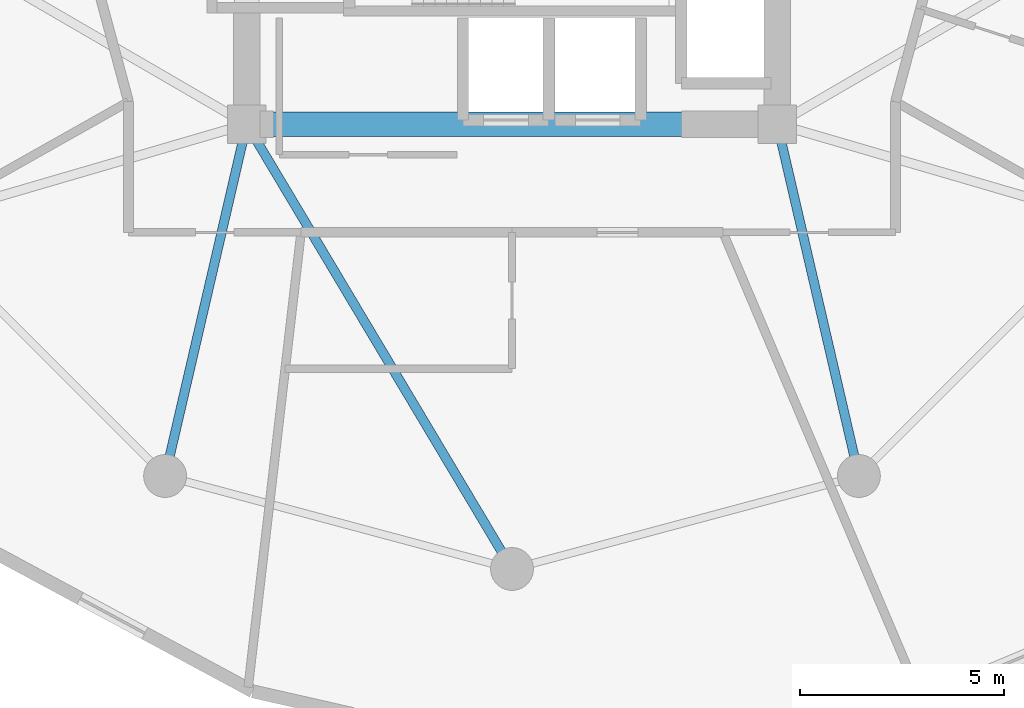
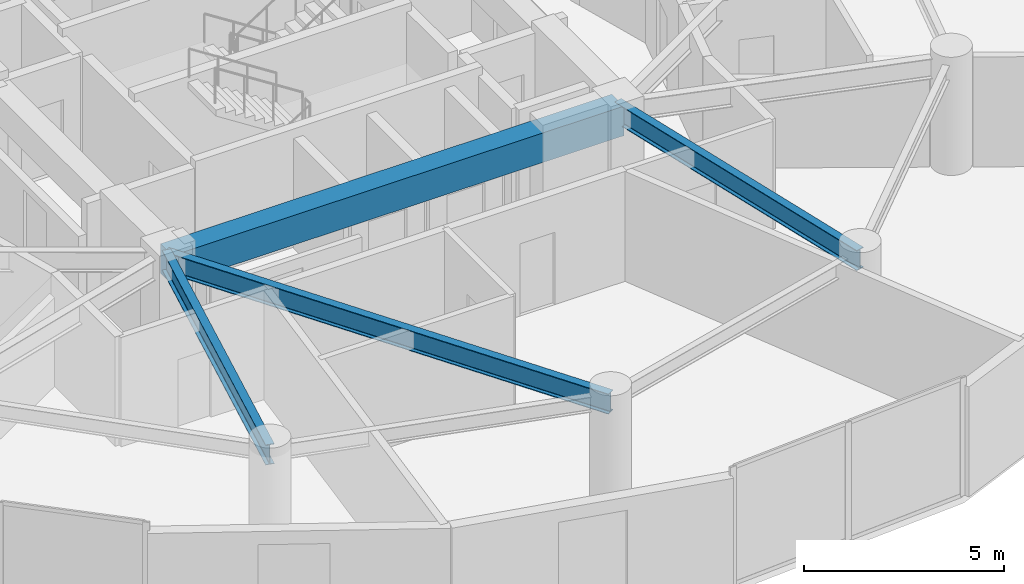
# One storey, part 5 of 25: 4 beams.
"""IFC4 building model written with IfcOpenShell, lengths in metres."""

from ifc_helpers import new_model, si_unit, direction, frame, origin, origin_2d, place, context, subcontext, project, spatial, rectangle, i_section, extrude, material, material_profile, profile_set, type_object, element, save


model = new_model("IFC4")

# Units and contexts
model_context = context("Model", 3, precision=1e-05, world=origin(), true_north=direction((0.0, 1.0)))
body_context = subcontext(model_context, "Body", "Model", "MODEL_VIEW")
ifc_project = project(units=[si_unit("LENGTHUNIT", "METRE"), si_unit("AREAUNIT", "SQUARE_METRE"), si_unit("VOLUMEUNIT", "CUBIC_METRE"), si_unit("PLANEANGLEUNIT", "RADIAN"), si_unit("MASSUNIT", "GRAM", prefix="KILO")], contexts=[model_context])

# Site, building, storey
site_placement = place(None, origin())
site = spatial("IfcSite", under=ifc_project, at=site_placement, CompositionType="ELEMENT")
building_placement = place(site_placement, origin())
building = spatial("IfcBuilding", under=site, at=building_placement, Name="Solvirekh Grand Hotel", CompositionType="ELEMENT")
storey_placement = place(building_placement, frame((0.0, 0.0, 120.60009765625)))
storey = spatial("IfcBuildingStorey", under=building, at=storey_placement, Name="L30", CompositionType="ELEMENT", Elevation=120.60009765625)

# Beams
ifc_material_1 = material(Name="Concrete C50/60", Category="concrete")
ifc_material_profile_1 = material_profile(ifc_material_1, rectangle(XDim=0.60009765625, YDim=0.89990234375, at=origin_2d()), Name="RC BEAM 600X900")
ifc_profile_set_1 = profile_set([ifc_material_profile_1], Name="Concrete C50/60")
beam_type_1 = type_object("IfcBeamType", Name="Beam_Core_RC900", PredefinedType="BEAM", material=ifc_profile_set_1)
beam_1_placement = place(storey_placement, frame((-6.5, -6.10009765625, 2.89990234375), z_axis=(1.0, 0.0, 0.0), x_axis=(0.0, 1.0, 0.0)))
element("IfcBeam", 1, at=beam_1_placement, inside=storey, type_object=beam_type_1, Name="L30 core coupling ring beam 1", PredefinedType="BEAM", context=body_context, shape_type="SweptSolid", body=[
    extrude(rectangle(XDim=0.60009765625, YDim=0.89990234375, at=origin_2d()), origin(), (0.0, 0.0, 1.0), 13.0),
])
ifc_material_2 = material(Name="Steel S355", Category="steel")
ifc_material_profile_2 = material_profile(ifc_material_2, i_section(OverallWidth=0.22802734375, OverallDepth=0.616943359375, WebThickness=0.012939453125, FlangeThickness=0.02001953125, FilletRadius=0.014892578125, at=origin_2d()), Name="W610X140")
ifc_profile_set_2 = profile_set([ifc_material_profile_2], Name="Steel S355")
beam_type_2 = type_object("IfcBeamType", Name="Beam_Radial_W610", PredefinedType="BEAM", material=ifc_profile_set_2)
beam_2_placement = place(storey_placement, frame((-6.5, -6.10009765625, 3.0419921875), z_axis=(-0.225969390542, -0.974134402707, 0.0), x_axis=(0.974134402707, -0.225969390542, 0.0)))
element("IfcBeam", 2, at=beam_2_placement, inside=storey, type_object=beam_type_2, Name="L30 radial floor beam R09", PredefinedType="BEAM", context=body_context, shape_type="SweptSolid", body=[
    extrude(i_section(OverallWidth=0.22802734375, OverallDepth=0.616943359375, WebThickness=0.012939453125, FlangeThickness=0.02001953125, FilletRadius=0.014892578125, at=origin_2d()), origin(), (0.0, 0.0, 1.0), 8.850830078125),
])
beam_3_placement = place(storey_placement, frame((-6.5, -6.10009765625, 3.0419921875), z_axis=(0.512179721377, -0.858878299301, 0.0), x_axis=(0.858878299301, 0.512179721377, 0.0)))
element("IfcBeam", 3, at=beam_3_placement, inside=storey, type_object=beam_type_2, Name="L30 radial floor beam R10", PredefinedType="BEAM", context=body_context, shape_type="SweptSolid", body=[
    extrude(i_section(OverallWidth=0.22802734375, OverallDepth=0.616943359375, WebThickness=0.012939453125, FlangeThickness=0.02001953125, FilletRadius=0.014892578125, at=origin_2d()), origin(), (0.0, 0.0, 1.0), 12.69091796875),
])
beam_4_placement = place(storey_placement, frame((6.5, -6.10009765625, 3.0419921875), z_axis=(0.225969390542, -0.974134402707, 0.0), x_axis=(0.974134402707, 0.225969390542, 0.0)))
element("IfcBeam", 4, at=beam_4_placement, inside=storey, type_object=beam_type_2, Name="L30 radial floor beam R11", PredefinedType="BEAM", context=body_context, shape_type="SweptSolid", body=[
    extrude(i_section(OverallWidth=0.22802734375, OverallDepth=0.616943359375, WebThickness=0.012939453125, FlangeThickness=0.02001953125, FilletRadius=0.014892578125, at=origin_2d()), origin(), (0.0, 0.0, 1.0), 8.850830078125),
])

save(model, "model.ifc")
